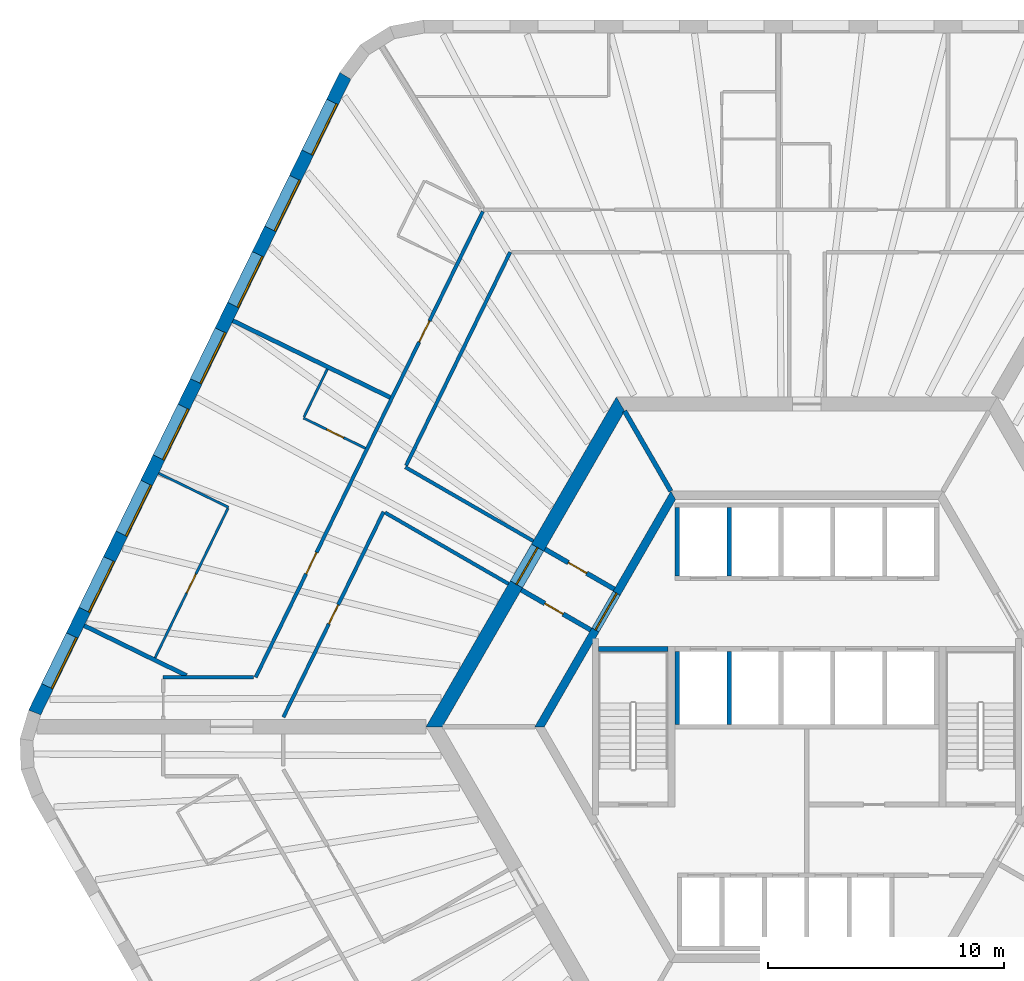
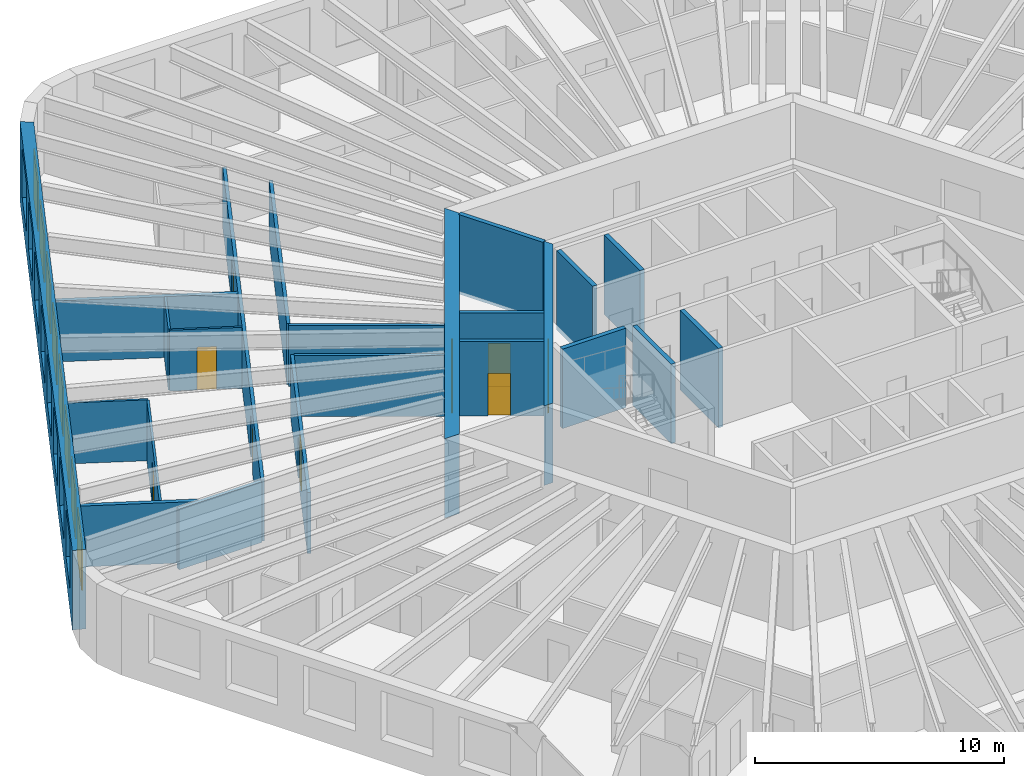
# One storey, part 7 of 12: 23 walls, 9 doors, 8 windows, 17 openings.
"""IFC4 building model written with IfcOpenShell, lengths in metres."""

from ifc_helpers import new_model, si_unit, direction, frame, frame_2d, origin, place, context, subcontext, project, spatial, polyline, rectangle, outline, extrude, material, layer, layer_set, type_object, element, fill, save


model = new_model("IFC4")

# Units and contexts
model_context = context("Model", 3, precision=1e-05, world=origin(), true_north=direction((0.0, 1.0)))
body_context = subcontext(model_context, "Body", "Model", "MODEL_VIEW")
ifc_project = project(units=[si_unit("LENGTHUNIT", "METRE"), si_unit("AREAUNIT", "SQUARE_METRE"), si_unit("VOLUMEUNIT", "CUBIC_METRE"), si_unit("PLANEANGLEUNIT", "RADIAN"), si_unit("MASSUNIT", "GRAM", prefix="KILO")], contexts=[model_context])

# Site, building, storey
site_placement = place(None, origin())
site = spatial("IfcSite", under=ifc_project, at=site_placement, CompositionType="ELEMENT")
building_placement = place(site_placement, origin())
building = spatial("IfcBuilding", under=site, at=building_placement, Name="Tarnside Tower", CompositionType="ELEMENT")
storey_placement = place(building_placement, frame((0.0, 0.0, 119.39990234375)))
storey = spatial("IfcBuildingStorey", under=building, at=storey_placement, Name="L27", CompositionType="ELEMENT", Elevation=119.39990234375)

# Wall, opening, door
ifc_material_1 = material(Name="Gypsum board partition on steel studs", Category="steel")
ifc_layer_1 = layer(ifc_material_1, 0.10009765625)
ifc_layer_set_1 = layer_set([ifc_layer_1], Name="Bathroom wall 100")
wall_type_1 = type_object("IfcWallType", Name="Bathroom wall 100", PredefinedType="PARTITIONING", material=ifc_layer_set_1)
wall_1_placement = place(storey_placement, frame((-18.739013671875, 11.822265625, 0.0), z_axis=(0.0, 0.0, 1.0), x_axis=(-0.898790906006, 0.438377585285, 0.0)))
wall_1 = element("IfcWall", 1, at=wall_1_placement, inside=storey, type_object=wall_type_1, Name="Bathroom wall 08094", PredefinedType="PARTITIONING", context=body_context, shape_type="SweptSolid", body=[
    extrude(rectangle(XDim=2.925048828125, YDim=0.10009765625, at=frame_2d((1.46240234375, 0.0))), origin(), (0.0, 0.0, 1.0), 2.98779296875),
])
opening_1_placement = place(wall_1_placement, frame((1.02490234375, 0.0, 0.0)))
opening_1 = element("IfcOpeningElement", 2, at=opening_1_placement, cuts=wall_1, Name="Opening D-B1", PredefinedType="OPENING", context=body_context, shape_type="SweptSolid", body=[
    extrude(rectangle(XDim=0.800048828125, YDim=2.10009765625, at=frame_2d((0.39990234375, 1.050048828125))), frame((0.0, 0.06005859375, 0.0), z_axis=(0.0, -1.0, 0.0), x_axis=(1.0, 0.0, 0.0)), (0.0, 0.0, 1.0), 0.1201171875),
])
ifc_material_2 = material(Name="Timber door leaf", Category="wood")
door_type_1 = type_object("IfcDoorType", Name="Bathroom door 800", OperationType="NOTDEFINED", PredefinedType="DOOR", material=ifc_material_2)
door_1_placement = place(opening_1_placement, origin())
door_1 = element("IfcDoor", 3, at=door_1_placement, inside=storey, type_object=door_type_1, Name="Bathroom door 08012", OperationType="SINGLE_SWING_RIGHT", OverallHeight=2.10009765625, OverallWidth=0.800048828125, PredefinedType="DOOR", context=body_context, shape_type="SweptSolid", body=[
    extrude(rectangle(XDim=0.800048828125, YDim=2.10009765625, at=frame_2d((0.39990234375, 1.050048828125))), frame((0.0, 0.02490234375, 0.0), z_axis=(0.0, -1.0, 0.0), x_axis=(1.0, 0.0, 0.0)), (0.0, 0.0, 1.0), 0.050048828125),
])
fill(opening_1, door_1)

# Wall
wall_2_placement = place(storey_placement, frame((-21.345947265625, 13.1494140625, 0.0), z_axis=(0.0, 0.0, 1.0), x_axis=(0.438376807268, 0.898791285477, 0.0)))
element("IfcWall", 4, at=wall_2_placement, inside=storey, type_object=wall_type_1, Name="Bathroom wall 08095", PredefinedType="PARTITIONING", context=body_context, shape_type="SweptSolid", body=[
    extrude(rectangle(XDim=2.260009765625, YDim=0.10009765625, at=frame_2d((1.1298828125, 0.0))), origin(), (0.0, 0.0, 1.0), 2.98779296875),
])

# Wall, opening, door
ifc_material_3 = material(Name="Concrete C50/60", Category="concrete")
ifc_layer_2 = layer(ifc_material_3, 0.35009765625)
ifc_layer_set_2 = layer_set([ifc_layer_2], Name="Core block wall 350 C50/60")
wall_type_2 = type_object("IfcWallType", Name="Core block wall 350 C50/60", PredefinedType="SHEAR", material=ifc_layer_set_2)
wall_3_placement = place(storey_placement, frame((-5.672607421875, 9.824951171875, -0.14990234375), z_axis=(0.0, 0.0, 1.0), x_axis=(-0.499995046907, -0.866028263435, 0.0)))
wall_3 = element("IfcWall", 5, at=wall_3_placement, inside=storey, type_object=wall_type_2, Name="L27 core block wall face 2", PredefinedType="SHEAR", context=body_context, shape_type="SweptSolid", body=[
    extrude(outline(polyline([(-0.10107421875, -0.175048828125), (11.44580078125, -0.175048828125), (11.24365234375, 0.175048828125), (0.10107421875, 0.175048828125), (-0.10107421875, -0.175048828125)])), origin(), (0.0, 0.0, 1.0), 3.89990234375),
])
opening_2_placement = place(wall_3_placement, frame((4.80126953125, 0.0, 0.14990234375)))
opening_2 = element("IfcOpeningElement", 6, at=opening_2_placement, cuts=wall_3, Name="Opening CD-LOB", PredefinedType="OPENING", context=body_context, shape_type="SweptSolid", body=[
    extrude(rectangle(XDim=1.800048828125, YDim=2.39990234375, at=frame_2d((0.89990234375, 1.199951171875))), frame((0.0, 0.18505859375, 0.0), z_axis=(0.0, -1.0, 0.0), x_axis=(1.0, 0.0, 0.0)), (0.0, 0.0, 1.0), 0.3701171875),
])
ifc_material_4 = material(Name="Steel fire door", Category="steel")
door_type_2 = type_object("IfcDoorType", Name="Lobby double door FD30S 1800x2400", OperationType="NOTDEFINED", PredefinedType="DOOR", material=ifc_material_4)
door_2_placement = place(opening_2_placement, origin())
door_2 = element("IfcDoor", 7, at=door_2_placement, inside=storey, type_object=door_type_2, Name="L27 lobby block door P1", OperationType="DOUBLE_DOOR_SINGLE_SWING", OverallHeight=2.39990234375, OverallWidth=1.800048828125, PredefinedType="DOOR", context=body_context, shape_type="SweptSolid", body=[
    extrude(rectangle(XDim=1.800048828125, YDim=2.39990234375, at=frame_2d((0.89990234375, 1.199951171875))), frame((0.0, 0.02490234375, 0.0), z_axis=(0.0, -1.0, 0.0), x_axis=(1.0, 0.0, 0.0)), (0.0, 0.0, 1.0), 0.050048828125),
])
fill(opening_2, door_2)

ifc_material_5 = material(Name="Concrete C40/50", Category="concrete")
ifc_layer_3 = layer(ifc_material_5, 0.199951171875)
ifc_layer_set_3 = layer_set([ifc_layer_3], Name="Core room partition 200 C40/50")
wall_type_3 = type_object("IfcWallType", Name="Core room partition 200 C40/50", PredefinedType="PARTITIONING", material=ifc_layer_set_3)
wall_4_placement = place(storey_placement, frame((-9.1748046875, 4.10888671875, 0.0), z_axis=(0.0, 0.0, 1.0), x_axis=(-0.865989465428, 0.500062241894, 0.0)))
wall_4 = element("IfcWall", 8, at=wall_4_placement, inside=storey, type_object=wall_type_3, Name="L27 core partition AC1L", PredefinedType="PARTITIONING", context=body_context, shape_type="SweptSolid", body=[
    extrude(rectangle(XDim=3.39990234375, YDim=0.199951171875, at=frame_2d((1.699951171875, 0.0))), origin(), (0.0, 0.0, 1.0), 3.650146484375),
])
opening_3_placement = place(wall_4_placement, frame((1.3505859375, 0.0, 0.0)))
opening_3 = element("IfcOpeningElement", 9, at=opening_3_placement, cuts=wall_4, Name="Opening CD-room", PredefinedType="OPENING", context=body_context, shape_type="SweptSolid", body=[
    extrude(rectangle(XDim=0.89990234375, YDim=2.10009765625, at=frame_2d((0.449951171875, 1.050048828125))), frame((0.0, 0.10986328125, 0.0), z_axis=(0.0, -1.0, 0.0), x_axis=(1.0, 0.0, 0.0)), (0.0, 0.0, 1.0), 0.219970703125),
])
door_type_3 = type_object("IfcDoorType", Name="Room door FD60 900x2100", OperationType="NOTDEFINED", PredefinedType="DOOR", material=ifc_material_4)
door_3_placement = place(opening_3_placement, origin())
door_3 = element("IfcDoor", 10, at=door_3_placement, inside=storey, type_object=door_type_3, Name="L27 core room door AX1L", OperationType="SINGLE_SWING_LEFT", OverallHeight=2.10009765625, OverallWidth=0.89990234375, PredefinedType="DOOR", context=body_context, shape_type="SweptSolid", body=[
    extrude(rectangle(XDim=0.89990234375, YDim=2.10009765625, at=frame_2d((0.449951171875, 1.050048828125))), frame((0.0, 0.02490234375, 0.0), z_axis=(0.0, -1.0, 0.0), x_axis=(1.0, 0.0, 0.0)), (0.0, 0.0, 1.0), 0.050048828125),
])
fill(opening_3, door_3)

wall_5_placement = place(storey_placement, frame((-8.1748046875, 5.841064453125, 0.0), z_axis=(0.0, 0.0, 1.0), x_axis=(-0.866020560687, 0.500008388397, 0.0)))
wall_5 = element("IfcWall", 11, at=wall_5_placement, inside=storey, type_object=wall_type_3, Name="L27 core partition AC1R", PredefinedType="PARTITIONING", context=body_context, shape_type="SweptSolid", body=[
    extrude(rectangle(XDim=3.39990234375, YDim=0.199951171875, at=frame_2d((1.699951171875, 0.0))), origin(), (0.0, 0.0, 1.0), 3.650146484375),
])
opening_4_placement = place(wall_5_placement, frame((1.349609375, 0.0, 0.0)))
opening_4 = element("IfcOpeningElement", 12, at=opening_4_placement, cuts=wall_5, Name="Opening CD-room", PredefinedType="OPENING", context=body_context, shape_type="SweptSolid", body=[
    extrude(rectangle(XDim=0.89990234375, YDim=2.10009765625, at=frame_2d((0.449951171875, 1.050048828125))), frame((0.0, 0.10986328125, 0.0), z_axis=(0.0, -1.0, 0.0), x_axis=(1.0, 0.0, 0.0)), (0.0, 0.0, 1.0), 0.219970703125),
])
door_4_placement = place(opening_4_placement, origin())
door_4 = element("IfcDoor", 13, at=door_4_placement, inside=storey, type_object=door_type_3, Name="L27 core room door AX1R", OperationType="SINGLE_SWING_LEFT", OverallHeight=2.10009765625, OverallWidth=0.89990234375, PredefinedType="DOOR", context=body_context, shape_type="SweptSolid", body=[
    extrude(rectangle(XDim=0.89990234375, YDim=2.10009765625, at=frame_2d((0.449951171875, 1.050048828125))), frame((0.0, 0.02490234375, 0.0), z_axis=(0.0, -1.0, 0.0), x_axis=(1.0, 0.0, 0.0)), (0.0, 0.0, 1.0), 0.050048828125),
])
fill(opening_4, door_4)

ifc_material_6 = material(Name="Concrete C80/95", Category="concrete")
ifc_layer_4 = layer(ifc_material_6, 0.60009765625)
ifc_layer_set_4 = layer_set([ifc_layer_4], Name="Core wall Z1 600 C80/95")
wall_type_4 = type_object("IfcWallType", Name="Core wall Z1 600 C80/95", PredefinedType="SHEAR", material=ifc_layer_set_4)
wall_6_placement = place(storey_placement, frame((-7.90966796875, 13.699951171875, -0.14990234375), z_axis=(0.0, 0.0, 1.0), x_axis=(-0.499999880136, -0.866025472988, 0.0)))
wall_6 = element("IfcWall", 14, at=wall_6_placement, inside=storey, type_object=wall_type_4, Name="L27 core wall face 2", PredefinedType="SHEAR", context=body_context, shape_type="SweptSolid", body=[
    extrude(outline(polyline([(-0.17333984375, -0.300048828125), (15.99267578125, -0.300048828125), (15.64599609375, 0.300048828125), (0.17333984375, 0.300048828125), (-0.17333984375, -0.300048828125)])), origin(), (0.0, 0.0, 1.0), 3.89990234375),
])
opening_5_placement = place(wall_6_placement, frame((7.03857421875, 0.0, 0.14990234375)))
opening_5 = element("IfcOpeningElement", 15, at=opening_5_placement, cuts=wall_6, Name="Opening CD-LOB", PredefinedType="OPENING", context=body_context, shape_type="SweptSolid", body=[
    extrude(rectangle(XDim=1.800048828125, YDim=2.39990234375, at=frame_2d((0.89990234375, 1.199951171875))), frame((0.0, 0.31005859375, 0.0), z_axis=(0.0, -1.0, 0.0), x_axis=(1.0, 0.0, 0.0)), (0.0, 0.0, 1.0), 0.6201171875),
])
door_5_placement = place(opening_5_placement, origin())
door_5 = element("IfcDoor", 16, at=door_5_placement, inside=storey, type_object=door_type_2, Name="L27 core door P1", OperationType="DOUBLE_DOOR_SINGLE_SWING", OverallHeight=2.39990234375, OverallWidth=1.800048828125, PredefinedType="DOOR", context=body_context, shape_type="SweptSolid", body=[
    extrude(rectangle(XDim=1.800048828125, YDim=2.39990234375, at=frame_2d((0.89990234375, 1.199951171875))), frame((0.0, 0.02490234375, 0.0), z_axis=(0.0, -1.0, 0.0), x_axis=(1.0, 0.0, 0.0)), (0.0, 0.0, 1.0), 0.050048828125),
])
fill(opening_5, door_5)

# Wall, openings, doors
ifc_layer_5 = layer(ifc_material_1, 0.14990234375)
ifc_layer_set_5 = layer_set([ifc_layer_5], Name="Corridor wall 150 EI 60")
wall_type_5 = type_object("IfcWallType", Name="Corridor wall 150 EI 60", PredefinedType="PARTITIONING", material=ifc_layer_set_5)
wall_7_placement = place(storey_placement, frame((-13.75244140625, 21.875, 0.0), z_axis=(0.0, 0.0, 1.0), x_axis=(-0.438376846054, -0.898791266559, 0.0)))
wall_7 = element("IfcWall", 17, at=wall_7_placement, inside=storey, type_object=wall_type_5, Name="Corridor wall 08009", PredefinedType="PARTITIONING", context=body_context, shape_type="SweptSolid", body=[
    extrude(rectangle(XDim=22.001708984375, YDim=0.14990234375, at=frame_2d((11.0009765625, 0.0))), origin(), (0.0, 0.0, 1.0), 2.98779296875),
])
opening_6_placement = place(wall_7_placement, frame((5.1689453125, 0.0, 0.0)))
opening_6 = element("IfcOpeningElement", 18, at=opening_6_placement, cuts=wall_7, Name="Opening D-E1", PredefinedType="OPENING", context=body_context, shape_type="SweptSolid", body=[
    extrude(rectangle(XDim=1.0, YDim=2.10009765625, at=frame_2d((0.5, 1.050048828125))), frame((0.0, 0.0849609375, 0.0), z_axis=(0.0, -1.0, 0.0), x_axis=(1.0, 0.0, 0.0)), (0.0, 0.0, 1.0), 0.169921875),
])
opening_7_placement = place(wall_7_placement, frame((16.111572265625, 0.0, 0.0)))
opening_7 = element("IfcOpeningElement", 19, at=opening_7_placement, cuts=wall_7, Name="Opening D-E1", PredefinedType="OPENING", context=body_context, shape_type="SweptSolid", body=[
    extrude(rectangle(XDim=1.0, YDim=2.10009765625, at=frame_2d((0.5, 1.050048828125))), frame((0.0, 0.0849609375, 0.0), z_axis=(0.0, -1.0, 0.0), x_axis=(1.0, 0.0, 0.0)), (0.0, 0.0, 1.0), 0.169921875),
])
door_type_4 = type_object("IfcDoorType", Name="Unit entrance door 1000 FD30S", OperationType="NOTDEFINED", PredefinedType="DOOR", material=ifc_material_2)
door_6_placement = place(opening_6_placement, origin())
door_6 = element("IfcDoor", 20, at=door_6_placement, inside=storey, type_object=door_type_4, Name="Unit door 08009", OperationType="SINGLE_SWING_LEFT", OverallHeight=2.10009765625, OverallWidth=1.0, PredefinedType="DOOR", context=body_context, shape_type="SweptSolid", body=[
    extrude(rectangle(XDim=1.0, YDim=2.10009765625, at=frame_2d((0.5, 1.050048828125))), frame((0.0, 0.02490234375, 0.0), z_axis=(0.0, -1.0, 0.0), x_axis=(1.0, 0.0, 0.0)), (0.0, 0.0, 1.0), 0.050048828125),
])
fill(opening_6, door_6)
door_7_placement = place(opening_7_placement, origin())
door_7 = element("IfcDoor", 21, at=door_7_placement, inside=storey, type_object=door_type_4, Name="Unit door 08011", OperationType="SINGLE_SWING_LEFT", OverallHeight=2.10009765625, OverallWidth=1.0, PredefinedType="DOOR", context=body_context, shape_type="SweptSolid", body=[
    extrude(rectangle(XDim=1.0, YDim=2.10009765625, at=frame_2d((0.5, 1.050048828125))), frame((0.0, 0.02490234375, 0.0), z_axis=(0.0, -1.0, 0.0), x_axis=(1.0, 0.0, 0.0)), (0.0, 0.0, 1.0), 0.050048828125),
])
fill(opening_7, door_7)

# Walls
wall_8_placement = place(storey_placement, frame((-23.480712890625, 2.10009765625, 0.0), z_axis=(0.0, 0.0, 1.0), x_axis=(-1.0, 0.0, 0.0)))
element("IfcWall", 22, at=wall_8_placement, inside=storey, type_object=wall_type_5, Name="Corridor wall 08012", PredefinedType="PARTITIONING", context=body_context, shape_type="SweptSolid", body=[
    extrude(rectangle(XDim=3.839599609375, YDim=0.14990234375, at=frame_2d((1.919921875, 0.0))), origin(), (0.0, 0.0, 1.0), 2.98779296875),
])
wall_9_placement = place(storey_placement, frame((-11.61376953125, 7.88427734375, 0.0), z_axis=(0.0, 0.0, 1.0), x_axis=(-0.866025438137, 0.4999999405, 0.0)))
element("IfcWall", 23, at=wall_9_placement, inside=storey, type_object=wall_type_5, Name="Corridor wall 08016", PredefinedType="PARTITIONING", context=body_context, shape_type="SweptSolid", body=[
    extrude(rectangle(XDim=6.2705078125, YDim=0.14990234375, at=frame_2d((3.13525390625, 0.0))), origin(), (0.0, 0.0, 1.0), 2.98779296875),
])
wall_10_placement = place(storey_placement, frame((-17.01123046875, 11.087158203125, 0.0), z_axis=(0.0, 0.0, 1.0), x_axis=(0.43836877185, 0.898795204631, 0.0)))
element("IfcWall", 24, at=wall_10_placement, inside=storey, type_object=wall_type_5, Name="Corridor wall 08017", PredefinedType="PARTITIONING", context=body_context, shape_type="SweptSolid", body=[
    extrude(rectangle(XDim=10.083251953125, YDim=0.14990234375, at=frame_2d((5.04150390625, 0.0))), origin(), (0.0, 0.0, 1.0), 2.98779296875),
])

# Wall, opening, door
wall_11_placement = place(storey_placement, frame((-22.218994140625, 0.41015625, 0.0), z_axis=(0.0, 0.0, 1.0), x_axis=(0.438391891827, 0.898783927972, 0.0)))
wall_11 = element("IfcWall", 25, at=wall_11_placement, inside=storey, type_object=wall_type_5, Name="Corridor wall 08023", PredefinedType="PARTITIONING", context=body_context, shape_type="SweptSolid", body=[
    extrude(rectangle(XDim=9.698974609375, YDim=0.14990234375, at=frame_2d((4.849609375, 0.0))), origin(), (0.0, 0.0, 1.0), 2.98779296875),
])
opening_8_placement = place(wall_11_placement, frame((4.399658203125, 0.0, 0.0)))
opening_8 = element("IfcOpeningElement", 26, at=opening_8_placement, cuts=wall_11, Name="Opening D-S1", PredefinedType="OPENING", context=body_context, shape_type="SweptSolid", body=[
    extrude(rectangle(XDim=0.89990234375, YDim=2.10009765625, at=frame_2d((0.449951171875, 1.050048828125))), frame((0.0, 0.0849609375, 0.0), z_axis=(0.0, -1.0, 0.0), x_axis=(1.0, 0.0, 0.0)), (0.0, 0.0, 1.0), 0.169921875),
])
door_type_5 = type_object("IfcDoorType", Name="Service room door 900 FD30S", OperationType="NOTDEFINED", PredefinedType="DOOR", material=ifc_material_2)
door_8_placement = place(opening_8_placement, origin())
door_8 = element("IfcDoor", 27, at=door_8_placement, inside=storey, type_object=door_type_5, Name="Service door 08042", OperationType="SINGLE_SWING_LEFT", OverallHeight=2.10009765625, OverallWidth=0.89990234375, PredefinedType="DOOR", context=body_context, shape_type="SweptSolid", body=[
    extrude(rectangle(XDim=0.89990234375, YDim=2.10009765625, at=frame_2d((0.449951171875, 1.050048828125))), frame((0.0, 0.02490234375, 0.0), z_axis=(0.0, -1.0, 0.0), x_axis=(1.0, 0.0, 0.0)), (0.0, 0.0, 1.0), 0.050048828125),
])
fill(opening_8, door_8)

# Walls
wall_12_placement = place(storey_placement, frame((-17.902099609375, 9.08984375, 0.0), z_axis=(0.0, 0.0, 1.0), x_axis=(0.866036368755, -0.499981007633, 0.0)))
element("IfcWall", 28, at=wall_12_placement, inside=storey, type_object=wall_type_5, Name="Corridor wall 08024", PredefinedType="PARTITIONING", context=body_context, shape_type="SweptSolid", body=[
    extrude(rectangle(XDim=6.048583984375, YDim=0.14990234375, at=frame_2d((3.0244140625, 0.0))), origin(), (0.0, 0.0, 1.0), 2.98779296875),
])
ifc_layer_6 = layer(ifc_material_1, 0.179931640625)
ifc_layer_set_6 = layer_set([ifc_layer_6], Name="Demising wall 180 EI 60")
wall_type_6 = type_object("IfcWallType", Name="Demising wall 180 EI 60", PredefinedType="PARTITIONING", material=ifc_layer_set_6)
wall_13_placement = place(storey_placement, frame((-24.3603515625, 17.234130859375, 0.0), z_axis=(0.0, 0.0, 1.0), x_axis=(0.898796252669, -0.438366623032, 0.0)))
element("IfcWall", 29, at=wall_13_placement, inside=storey, type_object=wall_type_6, Name="Demising wall 08092", PredefinedType="PARTITIONING", context=body_context, shape_type="SweptSolid", body=[
    extrude(rectangle(XDim=7.425048828125, YDim=0.179931640625, at=frame_2d((3.71240234375, 0.0))), origin(), (0.0, 0.0, 1.0), 2.98779296875),
])
wall_14_placement = place(storey_placement, frame((-30.673095703125, 4.29150390625, 0.0), z_axis=(0.0, 0.0, 1.0), x_axis=(0.898812662672, -0.438332975512, 0.0)))
element("IfcWall", 30, at=wall_14_placement, inside=storey, type_object=wall_type_6, Name="Demising wall 08098", PredefinedType="PARTITIONING", context=body_context, shape_type="SweptSolid", body=[
    extrude(rectangle(XDim=4.828369140625, YDim=0.179931640625, at=frame_2d((2.4140625, 0.0))), origin(), (0.0, 0.0, 1.0), 2.98779296875),
])
ifc_layer_7 = layer(ifc_material_5, 0.199951171875)
ifc_layer_set_7 = layer_set([ifc_layer_7], Name="Lift shaft wall 200 C40/50")
wall_type_7 = type_object("IfcWallType", Name="Lift shaft wall 200 C40/50", PredefinedType="SHEAR", material=ifc_layer_set_7)
for number, where, z_axis, x_axis, name in (
    (31, (-5.5, 6.39990234375, -0.25), (0.0, 0.0, 1.0), (0.0, 1.0, 0.0), "L27 lift shaft partition R11"),
    (32, (-3.300048828125, 6.39990234375, -0.25), (0.0, 0.0, 1.0), (0.0, 1.0, 0.0), "L27 lift shaft partition R12"),
):
    element("IfcWall", number, at=place(storey_placement, frame(where, z_axis=z_axis, x_axis=x_axis)), inside=storey, type_object=wall_type_7, Name=name, PredefinedType="SHEAR", context=body_context, shape_type="SweptSolid", body=[
        extrude(rectangle(XDim=2.900146484375, YDim=0.199951171875, at=frame_2d((1.4501953125, 0.0))), origin(), (0.0, 0.0, 1.0), 3.900146484375),
    ])
for number, where, z_axis, x_axis, name in (
    (33, (-5.5, 0.10009765625, -0.25), (0.0, 0.0, 1.0), (0.0, 1.0, 0.0), "L27 lift shaft partition R21"),
    (34, (-3.300048828125, 0.10009765625, -0.25), (0.0, 0.0, 1.0), (0.0, 1.0, 0.0), "L27 lift shaft partition R22"),
):
    element("IfcWall", number, at=place(storey_placement, frame(where, z_axis=z_axis, x_axis=x_axis)), inside=storey, type_object=wall_type_7, Name=name, PredefinedType="SHEAR", context=body_context, shape_type="SweptSolid", body=[
        extrude(rectangle(XDim=3.099853515625, YDim=0.199951171875, at=frame_2d((1.5498046875, 0.0))), origin(), (0.0, 0.0, 1.0), 3.900146484375),
    ])
wall_15_placement = place(storey_placement, frame((-5.7734375, 10.0, -0.14990234375), z_axis=(0.0, 0.0, 1.0), x_axis=(-0.500038251005, 0.86600331843, 0.0)))
element("IfcWall", 35, at=wall_15_placement, inside=storey, type_object=wall_type_7, Name="L27 core partition AR120", PredefinedType="SHEAR", context=body_context, shape_type="SweptSolid", body=[
    extrude(rectangle(XDim=3.926025390625, YDim=0.199951171875, at=frame_2d((1.962890625, 0.0))), origin(), (0.0, 0.0, 1.0), 3.89990234375),
])
wall_16_placement = place(storey_placement, frame((-8.85009765625, 3.300048828125, -0.25), z_axis=(0.0, 0.0, 1.0), x_axis=(1.0, 0.0, 0.0)))
element("IfcWall", 36, at=wall_16_placement, inside=storey, type_object=wall_type_7, Name="L27 stair 2 enclosure cap wall n", PredefinedType="SHEAR", context=body_context, shape_type="SweptSolid", body=[
    extrude(rectangle(XDim=2.9501953125, YDim=0.199951171875, at=frame_2d((1.47509765625, 0.0))), origin(), (0.0, 0.0, 1.0), 3.900146484375),
])
ifc_layer_8 = layer(ifc_material_1, 0.10009765625)
ifc_layer_set_8 = layer_set([ifc_layer_8], Name="Partition 100")
wall_type_8 = type_object("IfcWallType", Name="Partition 100", PredefinedType="PARTITIONING", material=ifc_layer_set_8)
wall_17_placement = place(storey_placement, frame((-27.5166015625, 10.762939453125, 0.0), z_axis=(0.0, 0.0, 1.0), x_axis=(0.898764179314, -0.43843237789, 0.0)))
element("IfcWall", 37, at=wall_17_placement, inside=storey, type_object=wall_type_8, Name="Partition wall 08096", PredefinedType="PARTITIONING", context=body_context, shape_type="SweptSolid", body=[
    extrude(rectangle(XDim=3.2998046875, YDim=0.10009765625, at=frame_2d((1.64990234375, 0.0))), origin(), (0.0, 0.0, 1.0), 2.98779296875),
])

# Wall, opening, door
wall_18_placement = place(storey_placement, frame((-24.572509765625, 9.271240234375, 0.0), z_axis=(0.0, 0.0, 1.0), x_axis=(-0.438380708798, -0.898789382533, 0.0)))
wall_18 = element("IfcWall", 38, at=wall_18_placement, inside=storey, type_object=wall_type_8, Name="Partition wall 08097", PredefinedType="PARTITIONING", context=body_context, shape_type="SweptSolid", body=[
    extrude(rectangle(XDim=7.06005859375, YDim=0.10009765625, at=frame_2d((3.530029296875, 0.0))), origin(), (0.0, 0.0, 1.0), 2.98779296875),
])
opening_9_placement = place(wall_18_placement, frame((3.10009765625, 0.0, 0.0)))
opening_9 = element("IfcOpeningElement", 39, at=opening_9_placement, cuts=wall_18, Name="Opening D-I1", PredefinedType="OPENING", context=body_context, shape_type="SweptSolid", body=[
    extrude(rectangle(XDim=0.89990234375, YDim=2.10009765625, at=frame_2d((0.449951171875, 1.050048828125))), frame((0.0, 0.06005859375, 0.0), z_axis=(0.0, -1.0, 0.0), x_axis=(1.0, 0.0, 0.0)), (0.0, 0.0, 1.0), 0.1201171875),
])
door_type_6 = type_object("IfcDoorType", Name="Internal door 900", OperationType="NOTDEFINED", PredefinedType="DOOR", material=ifc_material_2)
door_9_placement = place(opening_9_placement, origin())
door_9 = element("IfcDoor", 40, at=door_9_placement, inside=storey, type_object=door_type_6, Name="Internal door 08013", OperationType="SINGLE_SWING_RIGHT", OverallHeight=2.10009765625, OverallWidth=0.89990234375, PredefinedType="DOOR", context=body_context, shape_type="SweptSolid", body=[
    extrude(rectangle(XDim=0.89990234375, YDim=2.10009765625, at=frame_2d((0.449951171875, 1.050048828125))), frame((0.0, 0.02490234375, 0.0), z_axis=(0.0, -1.0, 0.0), x_axis=(1.0, 0.0, 0.0)), (0.0, 0.0, 1.0), 0.050048828125),
])
fill(opening_9, door_9)

# Wall, openings, windows
ifc_material_7 = material(Name="Facing brick", Category="masonry")
ifc_layer_9 = layer(ifc_material_7, 0.10205078125)
ifc_material_8 = material(Name="Concrete C60/75 precast", Category="concrete")
ifc_layer_10 = layer(ifc_material_8, 0.347900390625)
ifc_material_9 = material(Name="Mineral wool insulation")
ifc_layer_11 = layer(ifc_material_9, 0.10009765625)
ifc_layer_set_9 = layer_set([ifc_layer_9, ifc_layer_10, ifc_layer_11], Name="Tube wall 550 brick faced")
wall_type_9 = type_object("IfcWallType", Name="Tube wall 550 brick faced", PredefinedType="SOLIDWALL", material=ifc_layer_set_9)
wall_19_placement = place(storey_placement, frame((-19.5947265625, 27.6328125, -0.14990234375), z_axis=(0.0, 0.0, 1.0), x_axis=(-0.438368285794, -0.898795441694, 0.0)))
wall_19 = element("IfcWall", 41, at=wall_19_placement, inside=storey, type_object=wall_type_9, Name="Tube wall L27 F2 flush 04", PredefinedType="SOLIDWALL", context=body_context, shape_type="SweptSolid", body=[
    extrude(outline(polyline([(-0.025634765625, -0.27490234375), (30.09326171875, -0.27490234375), (30.04833984375, 0.27490234375), (0.025634765625, 0.27490234375), (-0.025634765625, -0.27490234375)])), origin(), (0.0, 0.0, 1.0), 3.89990234375),
])
opening_10_placement = place(wall_19_placement, frame((1.235595703125, 0.0, 1.050048828125)))
opening_10 = element("IfcOpeningElement", 42, at=opening_10_placement, cuts=wall_19, Name="Opening WH", PredefinedType="OPENING", context=body_context, shape_type="SweptSolid", body=[
    extrude(rectangle(XDim=2.39990234375, YDim=2.39990234375, at=frame_2d((1.199951171875, 1.199951171875))), frame((0.0, 0.28515625, 0.0), z_axis=(0.0, -1.0, 0.0), x_axis=(1.0, 0.0, 0.0)), (0.0, 0.0, 1.0), 0.570068359375),
])
opening_11_placement = place(wall_19_placement, frame((4.83544921875, 0.0, 1.050048828125)))
opening_11 = element("IfcOpeningElement", 43, at=opening_11_placement, cuts=wall_19, Name="Opening WH", PredefinedType="OPENING", context=body_context, shape_type="SweptSolid", body=[
    extrude(rectangle(XDim=2.39990234375, YDim=2.39990234375, at=frame_2d((1.199951171875, 1.199951171875))), frame((0.0, 0.28515625, 0.0), z_axis=(0.0, -1.0, 0.0), x_axis=(1.0, 0.0, 0.0)), (0.0, 0.0, 1.0), 0.570068359375),
])
opening_12_placement = place(wall_19_placement, frame((8.435546875, 0.0, 1.050048828125)))
opening_12 = element("IfcOpeningElement", 44, at=opening_12_placement, cuts=wall_19, Name="Opening WH", PredefinedType="OPENING", context=body_context, shape_type="SweptSolid", body=[
    extrude(rectangle(XDim=2.39990234375, YDim=2.39990234375, at=frame_2d((1.199951171875, 1.199951171875))), frame((0.0, 0.28515625, 0.0), z_axis=(0.0, -1.0, 0.0), x_axis=(1.0, 0.0, 0.0)), (0.0, 0.0, 1.0), 0.570068359375),
])
opening_13_placement = place(wall_19_placement, frame((12.035400390625, 0.0, 1.050048828125)))
opening_13 = element("IfcOpeningElement", 45, at=opening_13_placement, cuts=wall_19, Name="Opening WH", PredefinedType="OPENING", context=body_context, shape_type="SweptSolid", body=[
    extrude(rectangle(XDim=2.39990234375, YDim=2.39990234375, at=frame_2d((1.199951171875, 1.199951171875))), frame((0.0, 0.28515625, 0.0), z_axis=(0.0, -1.0, 0.0), x_axis=(1.0, 0.0, 0.0)), (0.0, 0.0, 1.0), 0.570068359375),
])
opening_14_placement = place(wall_19_placement, frame((15.635498046875, 0.0, 1.050048828125)))
opening_14 = element("IfcOpeningElement", 46, at=opening_14_placement, cuts=wall_19, Name="Opening WH", PredefinedType="OPENING", context=body_context, shape_type="SweptSolid", body=[
    extrude(rectangle(XDim=2.39990234375, YDim=2.39990234375, at=frame_2d((1.199951171875, 1.199951171875))), frame((0.0, 0.28515625, 0.0), z_axis=(0.0, -1.0, 0.0), x_axis=(1.0, 0.0, 0.0)), (0.0, 0.0, 1.0), 0.570068359375),
])
opening_15_placement = place(wall_19_placement, frame((19.235595703125, 0.0, 1.050048828125)))
opening_15 = element("IfcOpeningElement", 47, at=opening_15_placement, cuts=wall_19, Name="Opening WH", PredefinedType="OPENING", context=body_context, shape_type="SweptSolid", body=[
    extrude(rectangle(XDim=2.39990234375, YDim=2.39990234375, at=frame_2d((1.199951171875, 1.199951171875))), frame((0.0, 0.28515625, 0.0), z_axis=(0.0, -1.0, 0.0), x_axis=(1.0, 0.0, 0.0)), (0.0, 0.0, 1.0), 0.570068359375),
])
opening_16_placement = place(wall_19_placement, frame((22.83544921875, 0.0, 1.050048828125)))
opening_16 = element("IfcOpeningElement", 48, at=opening_16_placement, cuts=wall_19, Name="Opening WH", PredefinedType="OPENING", context=body_context, shape_type="SweptSolid", body=[
    extrude(rectangle(XDim=2.39990234375, YDim=2.39990234375, at=frame_2d((1.199951171875, 1.199951171875))), frame((0.0, 0.28515625, 0.0), z_axis=(0.0, -1.0, 0.0), x_axis=(1.0, 0.0, 0.0)), (0.0, 0.0, 1.0), 0.570068359375),
])
opening_17_placement = place(wall_19_placement, frame((26.435546875, 0.0, 1.050048828125)))
opening_17 = element("IfcOpeningElement", 49, at=opening_17_placement, cuts=wall_19, Name="Opening WH", PredefinedType="OPENING", context=body_context, shape_type="SweptSolid", body=[
    extrude(rectangle(XDim=2.39990234375, YDim=2.39990234375, at=frame_2d((1.199951171875, 1.199951171875))), frame((0.0, 0.28515625, 0.0), z_axis=(0.0, -1.0, 0.0), x_axis=(1.0, 0.0, 0.0)), (0.0, 0.0, 1.0), 0.570068359375),
])
ifc_material_10 = material(Name="Aluminium-framed double glazing", Category="aluminium")
window_type = type_object("IfcWindowType", Name="Hotel window 2400 x 2400", PartitioningType="DOUBLE_PANEL_VERTICAL", PredefinedType="WINDOW", material=ifc_material_10)
window_1_placement = place(opening_10_placement, frame((0.0, 0.205078125, 0.0)))
window_1 = element("IfcWindow", 50, at=window_1_placement, inside=storey, type_object=window_type, Name="E.WN.L27.F2.00", OverallHeight=2.39990234375, OverallWidth=2.39990234375, PartitioningType="DOUBLE_PANEL_VERTICAL", PredefinedType="WINDOW", context=body_context, shape_type="SweptSolid", body=[
    extrude(rectangle(XDim=2.39990234375, YDim=2.39990234375, at=frame_2d((1.199951171875, 1.199951171875))), frame((0.0, 0.030029296875, 0.0), z_axis=(0.0, -1.0, 0.0), x_axis=(1.0, 0.0, 0.0)), (0.0, 0.0, 1.0), 0.06005859375),
])
fill(opening_10, window_1)
window_2_placement = place(opening_11_placement, frame((0.0, 0.205078125, 0.0)))
window_2 = element("IfcWindow", 51, at=window_2_placement, inside=storey, type_object=window_type, Name="E.WN.L27.F2.01", OverallHeight=2.39990234375, OverallWidth=2.39990234375, PartitioningType="DOUBLE_PANEL_VERTICAL", PredefinedType="WINDOW", context=body_context, shape_type="SweptSolid", body=[
    extrude(rectangle(XDim=2.39990234375, YDim=2.39990234375, at=frame_2d((1.199951171875, 1.199951171875))), frame((0.0, 0.030029296875, 0.0), z_axis=(0.0, -1.0, 0.0), x_axis=(1.0, 0.0, 0.0)), (0.0, 0.0, 1.0), 0.06005859375),
])
fill(opening_11, window_2)
window_3_placement = place(opening_12_placement, frame((0.0, 0.205078125, 0.0)))
window_3 = element("IfcWindow", 52, at=window_3_placement, inside=storey, type_object=window_type, Name="E.WN.L27.F2.02", OverallHeight=2.39990234375, OverallWidth=2.39990234375, PartitioningType="DOUBLE_PANEL_VERTICAL", PredefinedType="WINDOW", context=body_context, shape_type="SweptSolid", body=[
    extrude(rectangle(XDim=2.39990234375, YDim=2.39990234375, at=frame_2d((1.199951171875, 1.199951171875))), frame((0.0, 0.030029296875, 0.0), z_axis=(0.0, -1.0, 0.0), x_axis=(1.0, 0.0, 0.0)), (0.0, 0.0, 1.0), 0.06005859375),
])
fill(opening_12, window_3)
window_4_placement = place(opening_13_placement, frame((0.0, 0.205078125, 0.0)))
window_4 = element("IfcWindow", 53, at=window_4_placement, inside=storey, type_object=window_type, Name="E.WN.L27.F2.03", OverallHeight=2.39990234375, OverallWidth=2.39990234375, PartitioningType="DOUBLE_PANEL_VERTICAL", PredefinedType="WINDOW", context=body_context, shape_type="SweptSolid", body=[
    extrude(rectangle(XDim=2.39990234375, YDim=2.39990234375, at=frame_2d((1.199951171875, 1.199951171875))), frame((0.0, 0.030029296875, 0.0), z_axis=(0.0, -1.0, 0.0), x_axis=(1.0, 0.0, 0.0)), (0.0, 0.0, 1.0), 0.06005859375),
])
fill(opening_13, window_4)
window_5_placement = place(opening_14_placement, frame((0.0, 0.205078125, 0.0)))
window_5 = element("IfcWindow", 54, at=window_5_placement, inside=storey, type_object=window_type, Name="E.WN.L27.F2.04", OverallHeight=2.39990234375, OverallWidth=2.39990234375, PartitioningType="DOUBLE_PANEL_VERTICAL", PredefinedType="WINDOW", context=body_context, shape_type="SweptSolid", body=[
    extrude(rectangle(XDim=2.39990234375, YDim=2.39990234375, at=frame_2d((1.199951171875, 1.199951171875))), frame((0.0, 0.030029296875, 0.0), z_axis=(0.0, -1.0, 0.0), x_axis=(1.0, 0.0, 0.0)), (0.0, 0.0, 1.0), 0.06005859375),
])
fill(opening_14, window_5)
window_6_placement = place(opening_15_placement, frame((0.0, 0.205078125, 0.0)))
window_6 = element("IfcWindow", 55, at=window_6_placement, inside=storey, type_object=window_type, Name="E.WN.L27.F2.05", OverallHeight=2.39990234375, OverallWidth=2.39990234375, PartitioningType="DOUBLE_PANEL_VERTICAL", PredefinedType="WINDOW", context=body_context, shape_type="SweptSolid", body=[
    extrude(rectangle(XDim=2.39990234375, YDim=2.39990234375, at=frame_2d((1.199951171875, 1.199951171875))), frame((0.0, 0.030029296875, 0.0), z_axis=(0.0, -1.0, 0.0), x_axis=(1.0, 0.0, 0.0)), (0.0, 0.0, 1.0), 0.06005859375),
])
fill(opening_15, window_6)
window_7_placement = place(opening_16_placement, frame((0.0, 0.205078125, 0.0)))
window_7 = element("IfcWindow", 56, at=window_7_placement, inside=storey, type_object=window_type, Name="E.WN.L27.F2.06", OverallHeight=2.39990234375, OverallWidth=2.39990234375, PartitioningType="DOUBLE_PANEL_VERTICAL", PredefinedType="WINDOW", context=body_context, shape_type="SweptSolid", body=[
    extrude(rectangle(XDim=2.39990234375, YDim=2.39990234375, at=frame_2d((1.199951171875, 1.199951171875))), frame((0.0, 0.030029296875, 0.0), z_axis=(0.0, -1.0, 0.0), x_axis=(1.0, 0.0, 0.0)), (0.0, 0.0, 1.0), 0.06005859375),
])
fill(opening_16, window_7)
window_8_placement = place(opening_17_placement, frame((0.0, 0.205078125, 0.0)))
window_8 = element("IfcWindow", 57, at=window_8_placement, inside=storey, type_object=window_type, Name="E.WN.L27.F2.07", OverallHeight=2.39990234375, OverallWidth=2.39990234375, PartitioningType="DOUBLE_PANEL_VERTICAL", PredefinedType="WINDOW", context=body_context, shape_type="SweptSolid", body=[
    extrude(rectangle(XDim=2.39990234375, YDim=2.39990234375, at=frame_2d((1.199951171875, 1.199951171875))), frame((0.0, 0.030029296875, 0.0), z_axis=(0.0, -1.0, 0.0), x_axis=(1.0, 0.0, 0.0)), (0.0, 0.0, 1.0), 0.06005859375),
])
fill(opening_17, window_8)

save(model, "model.ifc")
